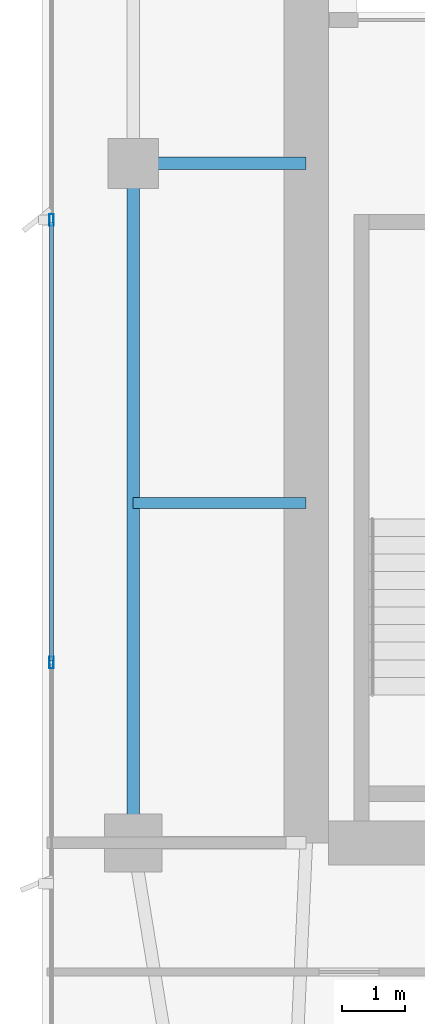
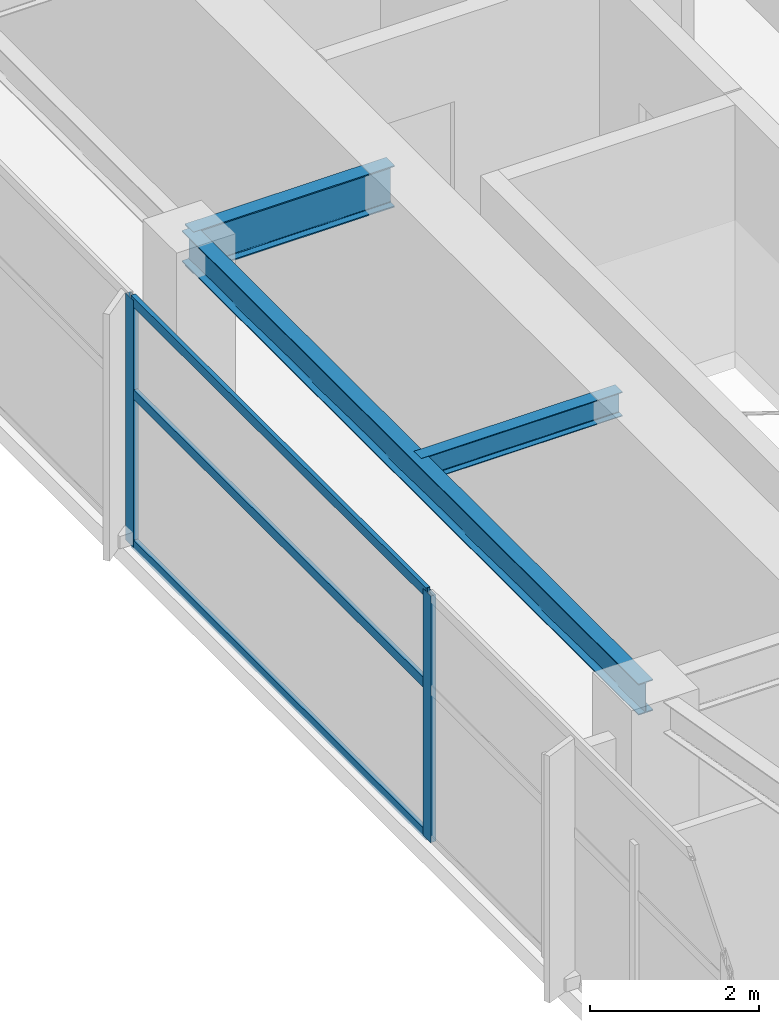
# One storey, part 8 of 29: 5 members, 3 beams, 1 element without a shape of its own.
"""IFC4 building model written with IfcOpenShell, lengths in metres."""

from ifc_helpers import new_model, si_unit, direction, frame, origin, origin_2d, place, context, subcontext, project, spatial, hollow_rectangle, i_section, extrude, material, layer, layer_set, material_profile, profile_set, type_object, element, aggregate, save


model = new_model("IFC4")

# Units and contexts
model_context = context("Model", 3, precision=1e-05, world=origin(), true_north=direction((0.0, 1.0)))
body_context = subcontext(model_context, "Body", "Model", "MODEL_VIEW")
ifc_project = project(units=[si_unit("LENGTHUNIT", "METRE"), si_unit("AREAUNIT", "SQUARE_METRE"), si_unit("VOLUMEUNIT", "CUBIC_METRE"), si_unit("PLANEANGLEUNIT", "RADIAN"), si_unit("MASSUNIT", "GRAM", prefix="KILO")], contexts=[model_context])

# Site, building, storey
site_placement = place(None, origin())
site = spatial("IfcSite", under=ifc_project, at=site_placement, CompositionType="ELEMENT")
building_placement = place(site_placement, origin())
building = spatial("IfcBuilding", under=site, at=building_placement, Name="Calvorn Quay Hotel", CompositionType="ELEMENT")
storey_placement = place(building_placement, frame((0.0, 0.0, 211.0)))
storey = spatial("IfcBuildingStorey", under=building, at=storey_placement, Name="L52", CompositionType="ELEMENT", Elevation=211.0)

# Beams
ifc_material_1 = material(Name="Steel Q355B", Category="steel")
ifc_material_profile_1 = material_profile(ifc_material_1, i_section(OverallWidth=0.199951171875, OverallDepth=0.60009765625, WebThickness=0.010986328125, FlangeThickness=0.01708984375, FilletRadius=0.01806640625, at=origin_2d()), Name="HN600x200x11x17")
ifc_profile_set_1 = profile_set([ifc_material_profile_1], Name="Steel Q355B")
beam_type_1 = type_object("IfcBeamType", Name="BM-GIRD-TYP", PredefinedType="BEAM", material=ifc_profile_set_1)
beam_1_placement = place(storey_placement, frame((1.449951171875, 27.60009765625, 3.239990234375), z_axis=(1.0, 0.0, 0.0), x_axis=(0.0, 1.0, 0.0)))
element("IfcBeam", 1, at=beam_1_placement, inside=storey, type_object=beam_type_1, Name="Beam BG-L52-W2", PredefinedType="BEAM", context=body_context, shape_type="SweptSolid", body=[
    extrude(i_section(OverallWidth=0.199951171875, OverallDepth=0.60009765625, WebThickness=0.010986328125, FlangeThickness=0.01708984375, FilletRadius=0.01806640625, at=origin_2d()), origin(), (0.0, 0.0, 1.0), 2.75),
])
ifc_material_2 = material(Name="Steel Q355B", Category="steel")
ifc_material_profile_2 = material_profile(ifc_material_2, i_section(OverallWidth=0.175048828125, OverallDepth=0.35009765625, WebThickness=0.007080078125, FlangeThickness=0.010986328125, FilletRadius=0.013916015625, at=origin_2d()), Name="HN350x175x7x11")
ifc_profile_set_2 = profile_set([ifc_material_profile_2], Name="Steel Q355B")
beam_type_2 = type_object("IfcBeamType", Name="BM-JOIST-SEC", PredefinedType="JOIST", material=ifc_profile_set_2)
beam_2_placement = place(storey_placement, frame((1.449951171875, 22.199951171875, 3.364990234375), z_axis=(1.0, 0.0, 0.0), x_axis=(0.0, 1.0, 0.0)))
element("IfcBeam", 2, at=beam_2_placement, inside=storey, type_object=beam_type_2, Name="Beam BJ-L52-W3", PredefinedType="JOIST", context=body_context, shape_type="SweptSolid", body=[
    extrude(i_section(OverallWidth=0.175048828125, OverallDepth=0.35009765625, WebThickness=0.007080078125, FlangeThickness=0.010986328125, FilletRadius=0.013916015625, at=origin_2d()), origin(), (0.0, 0.0, 1.0), 2.75),
])
ifc_material_3 = material(Name="Steel Q355B", Category="steel")
ifc_material_profile_3 = material_profile(ifc_material_3, i_section(OverallWidth=0.199951171875, OverallDepth=0.449951171875, WebThickness=0.009033203125, FlangeThickness=0.013916015625, FilletRadius=0.01611328125, at=origin_2d()), Name="HN450x200x9x14")
ifc_profile_set_3 = profile_set([ifc_material_profile_3], Name="Steel Q355B")
beam_type_3 = type_object("IfcBeamType", Name="BM-SPANDREL-Z3", PredefinedType="SPANDREL", material=ifc_profile_set_3)
beam_3_placement = place(storey_placement, frame((1.449951171875, 16.800048828125, 3.31494140625), z_axis=(0.0, 1.0, 0.0), x_axis=(-1.0, 0.0, 0.0)))
element("IfcBeam", 3, at=beam_3_placement, inside=storey, type_object=beam_type_3, Name="Beam BSP-L52-W2", PredefinedType="SPANDREL", context=body_context, shape_type="SweptSolid", body=[
    extrude(i_section(OverallWidth=0.199951171875, OverallDepth=0.449951171875, WebThickness=0.009033203125, FlangeThickness=0.013916015625, FilletRadius=0.01611328125, at=origin_2d()), origin(), (0.0, 0.0, 1.0), 10.800048828125),
])

# Curtain wall, members
ifc_material_4 = material(Name="Champagne Bronze Anodised Aluminium and Low-E Glass", Category="aluminium")
ifc_layer = layer(ifc_material_4, 0.219970703125)
ifc_layer_set = layer_set([ifc_layer], Name="CW-SYS-Z3")
curtain_wall_type = type_object("IfcCurtainWallType", Name="CW-SYS-Z3", PredefinedType="NOTDEFINED", material=ifc_layer_set)
curtain_wall_placement = place(storey_placement, origin())
curtain_wall = element("IfcCurtainWall", 4, at=curtain_wall_placement, inside=storey, type_object=curtain_wall_type, Name="Tower West Curtain Wall (L52)", PredefinedType="NOTDEFINED")
ifc_material_5 = material(Name="Champagne Bronze Anodised Aluminium 6063-T6", Category="aluminium")
ifc_material_profile_4 = material_profile(ifc_material_5, hollow_rectangle(XDim=0.068115234375, YDim=0.18505859375, WallThickness=0.00390625, at=origin_2d()), Name="ALU-M185x68x4")
ifc_profile_set_4 = profile_set([ifc_material_profile_4], Name="Champagne Bronze Anodised Aluminium 6063-T6")
member_type_1 = type_object("IfcMemberType", Name="CW-SYS-Z3-MUL", PredefinedType="MULLION", material=ifc_profile_set_4)
member_1_placement = place(storey_placement, frame((0.14990234375, 19.666748046875, 0.0), z_axis=(0.0, 0.0, 1.0), x_axis=(-1.0, 0.0, 0.0)))
member_1 = element("IfcMember", 5, at=member_1_placement, type_object=member_type_1, Name="CW-L52-W mullion 3", PredefinedType="MULLION", context=body_context, shape_type="SweptSolid", body=[
    extrude(hollow_rectangle(XDim=0.068115234375, YDim=0.18505859375, WallThickness=0.00390625, at=origin_2d()), origin(), (0.0, 0.0, 1.0), 3.56005859375),
])
member_2_placement = place(storey_placement, frame((0.14990234375, 26.699951171875, 0.0), z_axis=(0.0, 0.0, 1.0), x_axis=(-1.0, 0.0, 0.0)))
member_2 = element("IfcMember", 6, at=member_2_placement, type_object=member_type_1, Name="CW-L52-W mullion 4", PredefinedType="MULLION", context=body_context, shape_type="SweptSolid", body=[
    extrude(hollow_rectangle(XDim=0.068115234375, YDim=0.18505859375, WallThickness=0.00390625, at=origin_2d()), origin(), (0.0, 0.0, 1.0), 3.56005859375),
])
ifc_material_6 = material(Name="Champagne Bronze Anodised Aluminium 6063-T6", Category="aluminium")
ifc_material_profile_5 = material_profile(ifc_material_6, hollow_rectangle(XDim=0.05810546875, YDim=0.139892578125, WallThickness=0.003173828125, at=origin_2d()), Name="ALU-T140x58x3.2")
ifc_profile_set_5 = profile_set([ifc_material_profile_5], Name="Champagne Bronze Anodised Aluminium 6063-T6")
member_type_2 = type_object("IfcMemberType", Name="CW-SYS-Z3-TRN", PredefinedType="USERDEFINED", material=ifc_profile_set_5)
member_3_placement = place(storey_placement, frame((0.14990234375, 19.69677734375, 0.030029296875), z_axis=(0.0, 1.0, 0.0), x_axis=(-1.0, 0.0, 0.0)))
member_3 = element("IfcMember", 7, at=member_3_placement, type_object=member_type_2, Name="CW-L52-W transom 3.1", ObjectType="TRANSOM", PredefinedType="USERDEFINED", context=body_context, shape_type="SweptSolid", body=[
    extrude(hollow_rectangle(XDim=0.05810546875, YDim=0.139892578125, WallThickness=0.003173828125, at=origin_2d()), origin(), (0.0, 0.0, 1.0), 6.97314453125),
])
member_4_placement = place(storey_placement, frame((0.14990234375, 19.69677734375, 2.199951171875), z_axis=(0.0, 1.0, 0.0), x_axis=(-1.0, 0.0, 0.0)))
member_4 = element("IfcMember", 8, at=member_4_placement, type_object=member_type_2, Name="CW-L52-W transom 3.2", ObjectType="TRANSOM", PredefinedType="USERDEFINED", context=body_context, shape_type="SweptSolid", body=[
    extrude(hollow_rectangle(XDim=0.05810546875, YDim=0.139892578125, WallThickness=0.003173828125, at=origin_2d()), origin(), (0.0, 0.0, 1.0), 6.97314453125),
])
member_5_placement = place(storey_placement, frame((0.14990234375, 19.69677734375, 3.530029296875), z_axis=(0.0, 1.0, 0.0), x_axis=(-1.0, 0.0, 0.0)))
member_5 = element("IfcMember", 9, at=member_5_placement, type_object=member_type_2, Name="CW-L52-W transom 3.3", ObjectType="TRANSOM", PredefinedType="USERDEFINED", context=body_context, shape_type="SweptSolid", body=[
    extrude(hollow_rectangle(XDim=0.05810546875, YDim=0.139892578125, WallThickness=0.003173828125, at=origin_2d()), origin(), (0.0, 0.0, 1.0), 6.97314453125),
])
aggregate(curtain_wall, [member_1, member_2, member_3, member_4, member_5])

save(model, "model.ifc")
